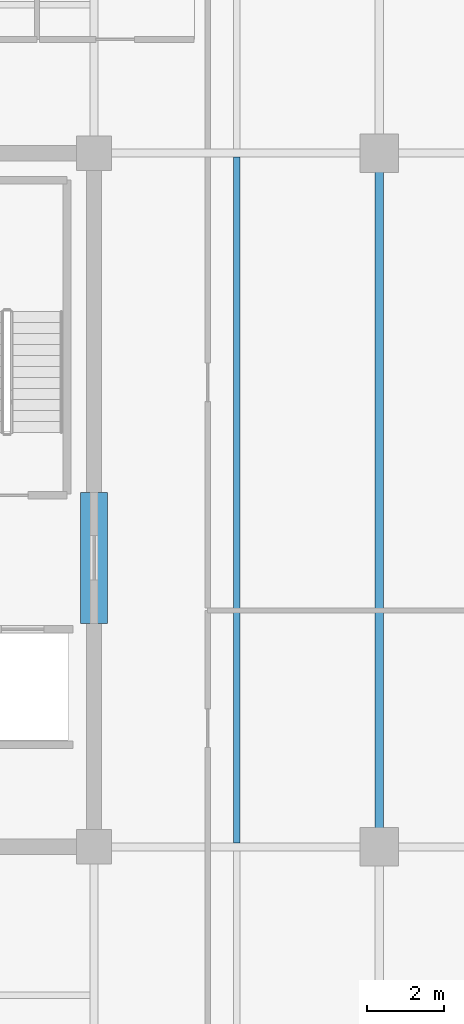
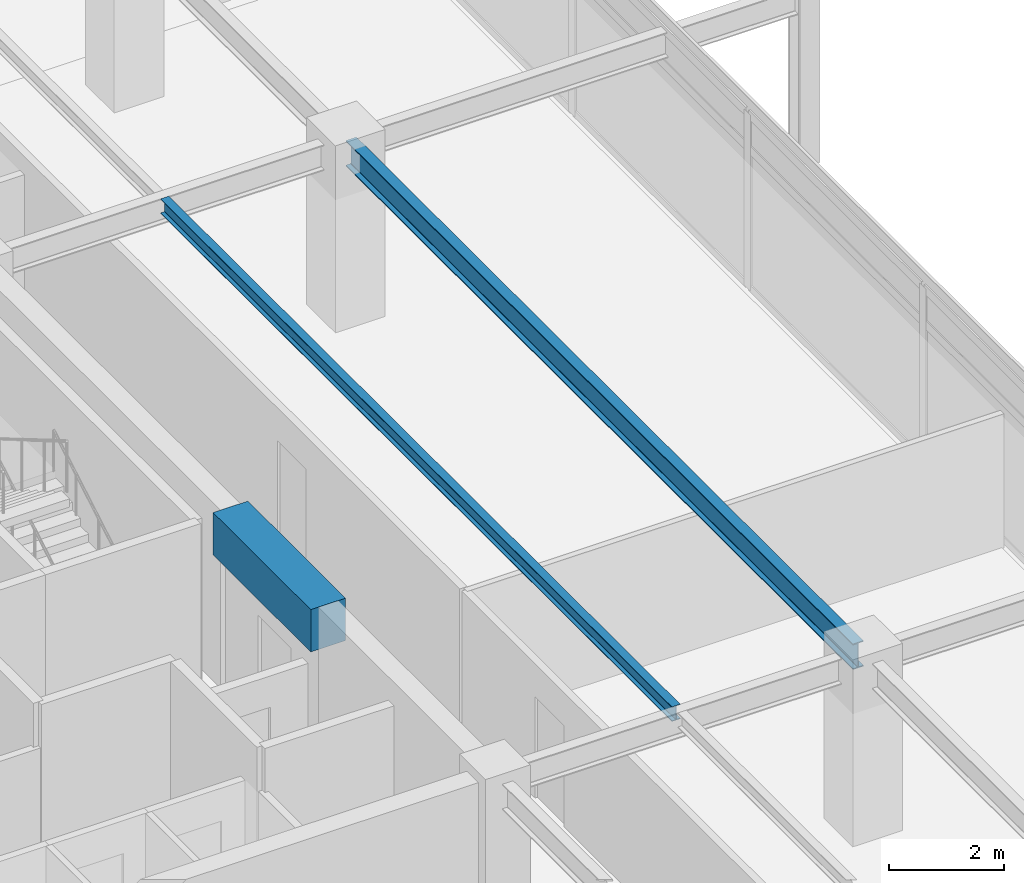
# One storey, part 7 of 20: 3 beams.
"""IFC4 building model written with IfcOpenShell, lengths in metres."""

from ifc_helpers import new_model, si_unit, direction, frame, origin, origin_2d, place, context, subcontext, project, spatial, rectangle, i_section, extrude, material, material_profile, profile_set, type_object, element, save


model = new_model("IFC4")

# Units and contexts
model_context = context("Model", 3, precision=1e-05, world=origin(), true_north=direction((0.0, 1.0)))
body_context = subcontext(model_context, "Body", "Model", "MODEL_VIEW")
ifc_project = project(units=[si_unit("LENGTHUNIT", "METRE"), si_unit("AREAUNIT", "SQUARE_METRE"), si_unit("VOLUMEUNIT", "CUBIC_METRE"), si_unit("PLANEANGLEUNIT", "RADIAN"), si_unit("MASSUNIT", "GRAM", prefix="KILO")], contexts=[model_context])

# Site, building, storey
site_placement = place(None, origin())
site = spatial("IfcSite", under=ifc_project, at=site_placement, CompositionType="ELEMENT")
building_placement = place(site_placement, origin())
building = spatial("IfcBuilding", under=site, at=building_placement, Name="Kovane Verandah Tower", CompositionType="ELEMENT")
storey_placement = place(building_placement, frame((0.0, 0.0, 318.800048828125)))
storey = spatial("IfcBuildingStorey", under=building, at=storey_placement, Name="L74", CompositionType="ELEMENT", Elevation=318.800048828125)

# Beams
ifc_material_1 = material(Name="Concrete C60/75", Category="concrete")
ifc_material_profile_1 = material_profile(ifc_material_1, rectangle(XDim=0.699951171875, YDim=0.89990234375, at=origin_2d()), Name="RCB700x900")
ifc_profile_set_1 = profile_set([ifc_material_profile_1], Name="Concrete C60/75")
beam_type_1 = type_object("IfcBeamType", Name="BM-LINTEL-700x900", PredefinedType="LINTEL", material=ifc_profile_set_1)
beam_1_placement = place(storey_placement, frame((51.0, 24.300048828125, 3.3349609375), z_axis=(0.0, 1.0, 0.0), x_axis=(-1.0, 0.0, 0.0)))
element("IfcBeam", 1, at=beam_1_placement, inside=storey, type_object=beam_type_1, Name="L74 Core Coupling Lintel CL-E", PredefinedType="LINTEL", context=body_context, shape_type="SweptSolid", body=[
    extrude(rectangle(XDim=0.699951171875, YDim=0.89990234375, at=origin_2d()), origin(), (0.0, 0.0, 1.0), 3.39990234375),
])
ifc_material_2 = material(Name="Steel S355", Category="steel")
ifc_material_profile_2 = material_profile(ifc_material_2, i_section(OverallWidth=0.2119140625, OverallDepth=0.54443359375, WebThickness=0.0126953125, FlangeThickness=0.021240234375, FilletRadius=0.0126953125, at=origin_2d()), Name="UB533x210x122")
ifc_profile_set_2 = profile_set([ifc_material_profile_2], Name="Steel S355")
beam_type_2 = type_object("IfcBeamType", Name="BM-UB533x122", PredefinedType="BEAM", material=ifc_profile_set_2)
beam_2_placement = place(storey_placement, frame((58.39990234375, 18.679931640625, 3.5126953125), z_axis=(0.0, 1.0, 0.0), x_axis=(-1.0, 0.0, 0.0)))
element("IfcBeam", 2, at=beam_2_placement, inside=storey, type_object=beam_type_2, Name="L74 Primary Tower Girder G-RE2", PredefinedType="BEAM", context=body_context, shape_type="SweptSolid", body=[
    extrude(i_section(OverallWidth=0.2119140625, OverallDepth=0.54443359375, WebThickness=0.0126953125, FlangeThickness=0.021240234375, FilletRadius=0.0126953125, at=origin_2d()), origin(), (0.0, 0.0, 1.0), 17.64013671875),
])
ifc_material_profile_3 = material_profile(ifc_material_2, i_section(OverallWidth=0.1669921875, OverallDepth=0.310302734375, WebThickness=0.0078125, FlangeThickness=0.013671875, FilletRadius=0.0087890625, at=origin_2d()), Name="UB305x165x54")
ifc_profile_set_3 = profile_set([ifc_material_profile_3], Name="Steel S355")
beam_type_3 = type_object("IfcBeamType", Name="JST-UB305x54", PredefinedType="JOIST", material=ifc_profile_set_3)
beam_3_placement = place(storey_placement, frame((54.699951171875, 18.60400390625, 3.629638671875), z_axis=(0.0, 1.0, 0.0), x_axis=(-1.0, 0.0, 0.0)))
element("IfcBeam", 3, at=beam_3_placement, inside=storey, type_object=beam_type_3, Name="L74 Secondary Composite Joist J-E1", PredefinedType="JOIST", context=body_context, shape_type="SweptSolid", body=[
    extrude(i_section(OverallWidth=0.1669921875, OverallDepth=0.310302734375, WebThickness=0.0078125, FlangeThickness=0.013671875, FilletRadius=0.0087890625, at=origin_2d()), origin(), (0.0, 0.0, 1.0), 17.7919921875),
])

save(model, "model.ifc")
